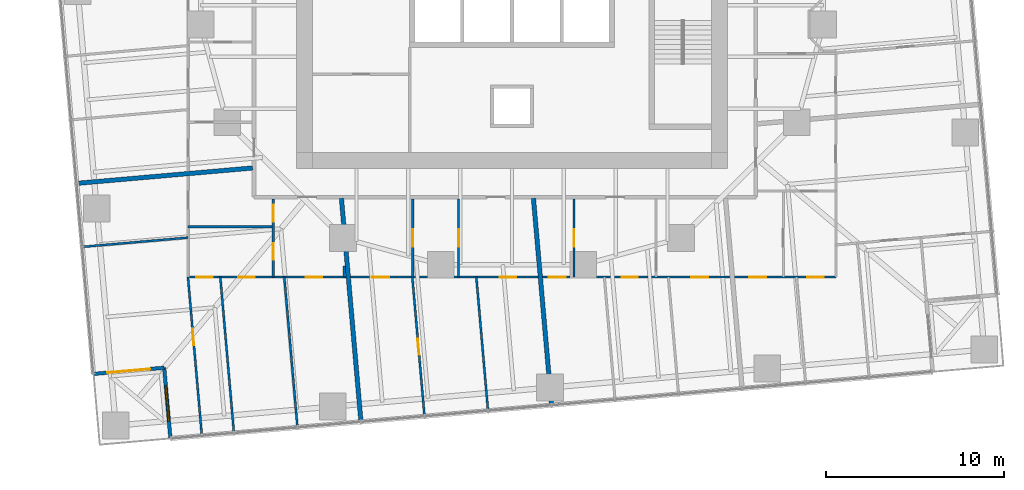
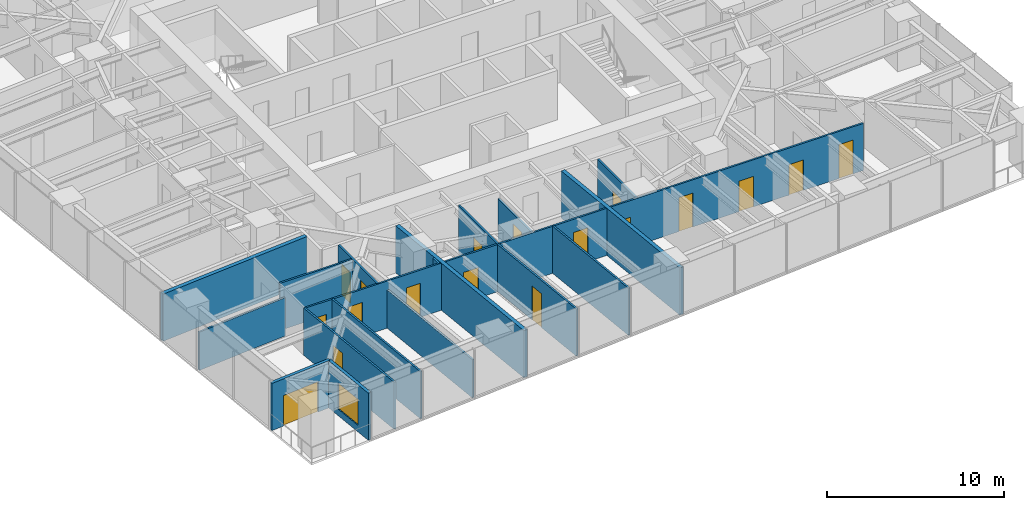
# One storey, part 8 of 14: 18 doors, 18 walls, 1 window, 19 openings.
"""IFC4 building model written with IfcOpenShell, lengths in metres."""

from ifc_helpers import new_model, si_unit, direction, frame, frame_2d, origin, place, context, subcontext, project, spatial, rectangle, extrude, material, layer, layer_set, type_object, element, fill, save


model = new_model("IFC4")

# Units and contexts
model_context = context("Model", 3, precision=1e-05, world=origin(), true_north=direction((0.0, 1.0)))
body_context = subcontext(model_context, "Body", "Model", "MODEL_VIEW")
ifc_project = project(units=[si_unit("LENGTHUNIT", "METRE"), si_unit("AREAUNIT", "SQUARE_METRE"), si_unit("VOLUMEUNIT", "CUBIC_METRE"), si_unit("PLANEANGLEUNIT", "RADIAN"), si_unit("MASSUNIT", "GRAM", prefix="KILO")], contexts=[model_context])

# Site, building, storey
site_placement = place(None, origin())
site = spatial("IfcSite", under=ifc_project, at=site_placement, CompositionType="ELEMENT")
building_placement = place(site_placement, origin())
building = spatial("IfcBuilding", under=site, at=building_placement, Name="Torsade Residences", CompositionType="ELEMENT")
storey_placement = place(building_placement, frame((0.0, 0.0, 67.60009765625)))
storey = spatial("IfcBuildingStorey", under=building, at=storey_placement, Name="L18", CompositionType="ELEMENT", Elevation=67.60009765625)

# Wall, openings, doors
ifc_material_1 = material(Name="Plasterboard on steel stud", Category="steel")
ifc_layer_1 = layer(ifc_material_1, 0.1201171875)
ifc_layer_set_1 = layer_set([ifc_layer_1], Name="Plasterboard on steel stud")
wall_type_1 = type_object("IfcWallType", Name="PARTITION 120", PredefinedType="PARTITIONING", material=ifc_layer_set_1)
wall_1_placement = place(storey_placement, frame((26.58642578125, 11.800048828125, 0.0), z_axis=(0.0, 0.0, 1.0), x_axis=(0.0, 1.0, 0.0)))
wall_1 = element("IfcWall", 1, at=wall_1_placement, inside=storey, type_object=wall_type_1, Name="Partition L18", PredefinedType="PARTITIONING", context=body_context, shape_type="SweptSolid", body=[
    extrude(rectangle(XDim=4.39990234375, YDim=0.1201171875, at=frame_2d((2.199951171875, 0.0))), origin(), (0.0, 0.0, 1.0), 3.25),
])
opening_1_placement = place(wall_1_placement, frame((0.98193359375, 0.0, 0.0)))
opening_1 = element("IfcOpeningElement", 2, at=opening_1_placement, cuts=wall_1, Name="Opening D02", PredefinedType="OPENING", context=body_context, shape_type="SweptSolid", body=[
    extrude(rectangle(XDim=0.919921875, YDim=2.340087890625, at=frame_2d((0.4599609375, 1.169921875))), frame((0.0, 0.070068359375, 0.0), z_axis=(0.0, -1.0, 0.0), x_axis=(1.0, 0.0, 0.0)), (0.0, 0.0, 1.0), 0.14013671875),
])
opening_2_placement = place(wall_1_placement, frame((3.112060546875, 0.0, 0.0)))
opening_2 = element("IfcOpeningElement", 3, at=opening_2_placement, cuts=wall_1, Name="Opening D05", PredefinedType="OPENING", context=body_context, shape_type="SweptSolid", body=[
    extrude(rectangle(XDim=0.9599609375, YDim=2.10009765625, at=frame_2d((0.47998046875, 1.050048828125))), frame((0.0, 0.070068359375, 0.0), z_axis=(0.0, -1.0, 0.0), x_axis=(1.0, 0.0, 0.0)), (0.0, 0.0, 1.0), 0.14013671875),
])
ifc_material_2 = material(Name="Hollow-core timber door in a steel cavity frame", Category="steel")
door_type_1 = type_object("IfcDoorType", Name="BATHROOM CAVITY SLIDING DOOR 960", OperationType="SLIDING_TO_LEFT", PredefinedType="DOOR", material=ifc_material_2)
door_1_placement = place(opening_2_placement, origin())
door_1 = element("IfcDoor", 4, at=door_1_placement, inside=storey, type_object=door_type_1, Name="Door Kitchen and dining to Bathroom", OperationType="SLIDING_TO_LEFT", OverallHeight=2.10009765625, OverallWidth=0.9599609375, PredefinedType="DOOR", context=body_context, shape_type="SweptSolid", body=[
    extrude(rectangle(XDim=0.9599609375, YDim=2.10009765625, at=frame_2d((0.47998046875, 1.050048828125))), frame((0.0, 0.02490234375, 0.0), z_axis=(0.0, -1.0, 0.0), x_axis=(1.0, 0.0, 0.0)), (0.0, 0.0, 1.0), 0.050048828125),
])
fill(opening_2, door_1)
ifc_material_3 = material(Name="Hollow-core timber door", Category="wood")
door_type_2 = type_object("IfcDoorType", Name="INTERNAL DOOR 920x2340", OperationType="NOTDEFINED", PredefinedType="DOOR", material=ifc_material_3)
door_2_placement = place(opening_1_placement, origin())
door_2 = element("IfcDoor", 5, at=door_2_placement, inside=storey, type_object=door_type_2, Name="Door Kitchen and dining to Dressing room", OperationType="SINGLE_SWING_LEFT", OverallHeight=2.340087890625, OverallWidth=0.919921875, PredefinedType="DOOR", context=body_context, shape_type="SweptSolid", body=[
    extrude(rectangle(XDim=0.919921875, YDim=2.340087890625, at=frame_2d((0.4599609375, 1.169921875))), frame((0.0, 0.02490234375, 0.0), z_axis=(0.0, -1.0, 0.0), x_axis=(1.0, 0.0, 0.0)), (0.0, 0.0, 1.0), 0.050048828125),
])
fill(opening_1, door_2)

# Wall
wall_2_placement = place(storey_placement, frame((30.571533203125, 12.416748046875, 0.0), z_axis=(0.0, 0.0, 1.0), x_axis=(0.0, -1.0, 0.0)))
element("IfcWall", 6, at=wall_2_placement, inside=storey, type_object=wall_type_1, Name="Partition L18", PredefinedType="PARTITIONING", context=body_context, shape_type="SweptSolid", body=[
    extrude(rectangle(XDim=0.61669921875, YDim=0.1201171875, at=frame_2d((0.308349609375, 0.0))), origin(), (0.0, 0.0, 1.0), 3.25),
])

# Wall, openings, doors
wall_3_placement = place(storey_placement, frame((58.199951171875, 11.800048828125, 0.0), z_axis=(0.0, 0.0, 1.0), x_axis=(-1.0, 0.0, 0.0)))
wall_3 = element("IfcWall", 7, at=wall_3_placement, inside=storey, type_object=wall_type_1, Name="Partition L18", PredefinedType="PARTITIONING", context=body_context, shape_type="SweptSolid", body=[
    extrude(rectangle(XDim=36.39990234375, YDim=0.1201171875, at=frame_2d((18.199951171875, 0.0))), origin(), (0.0, 0.0, 1.0), 3.25),
])
opening_3_placement = place(wall_3_placement, frame((11.119873046875, 0.0, 0.0)))
opening_3 = element("IfcOpeningElement", 8, at=opening_3_placement, cuts=wall_3, Name="Opening D02", PredefinedType="OPENING", context=body_context, shape_type="SweptSolid", body=[
    extrude(rectangle(XDim=0.919921875, YDim=2.340087890625, at=frame_2d((0.4599609375, 1.169921875))), frame((0.0, 0.070068359375, 0.0), z_axis=(0.0, -1.0, 0.0), x_axis=(1.0, 0.0, 0.0)), (0.0, 0.0, 1.0), 0.14013671875),
])
opening_4_placement = place(wall_3_placement, frame((17.97119140625, 0.0, 0.0)))
opening_4 = element("IfcOpeningElement", 9, at=opening_4_placement, cuts=wall_3, Name="Opening D02", PredefinedType="OPENING", context=body_context, shape_type="SweptSolid", body=[
    extrude(rectangle(XDim=0.919921875, YDim=2.340087890625, at=frame_2d((0.4599609375, 1.169921875))), frame((0.0, 0.070068359375, 0.0), z_axis=(0.0, -1.0, 0.0), x_axis=(1.0, 0.0, 0.0)), (0.0, 0.0, 1.0), 0.14013671875),
])
opening_5_placement = place(wall_3_placement, frame((28.877197265625, 0.0, 0.0)))
opening_5 = element("IfcOpeningElement", 10, at=opening_5_placement, cuts=wall_3, Name="Opening D02", PredefinedType="OPENING", context=body_context, shape_type="SweptSolid", body=[
    extrude(rectangle(XDim=0.919921875, YDim=2.340087890625, at=frame_2d((0.4599609375, 1.169921875))), frame((0.0, 0.070068359375, 0.0), z_axis=(0.0, -1.0, 0.0), x_axis=(1.0, 0.0, 0.0)), (0.0, 0.0, 1.0), 0.14013671875),
])
opening_6_placement = place(wall_3_placement, frame((7.16015625, 0.0, 0.0)))
opening_6 = element("IfcOpeningElement", 11, at=opening_6_placement, cuts=wall_3, Name="Opening D05", PredefinedType="OPENING", context=body_context, shape_type="SweptSolid", body=[
    extrude(rectangle(XDim=0.9599609375, YDim=2.10009765625, at=frame_2d((0.47998046875, 1.050048828125))), frame((0.0, 0.070068359375, 0.0), z_axis=(0.0, -1.0, 0.0), x_axis=(1.0, 0.0, 0.0)), (0.0, 0.0, 1.0), 0.14013671875),
])
opening_7_placement = place(wall_3_placement, frame((15.1806640625, 0.0, 0.0)))
opening_7 = element("IfcOpeningElement", 12, at=opening_7_placement, cuts=wall_3, Name="Opening D05", PredefinedType="OPENING", context=body_context, shape_type="SweptSolid", body=[
    extrude(rectangle(XDim=0.9599609375, YDim=2.10009765625, at=frame_2d((0.47998046875, 1.050048828125))), frame((0.0, 0.070068359375, 0.0), z_axis=(0.0, -1.0, 0.0), x_axis=(1.0, 0.0, 0.0)), (0.0, 0.0, 1.0), 0.14013671875),
])
opening_8_placement = place(wall_3_placement, frame((32.668212890625, 0.0, 0.0)))
opening_8 = element("IfcOpeningElement", 13, at=opening_8_placement, cuts=wall_3, Name="Opening D02", PredefinedType="OPENING", context=body_context, shape_type="SweptSolid", body=[
    extrude(rectangle(XDim=0.919921875, YDim=2.340087890625, at=frame_2d((0.4599609375, 1.169921875))), frame((0.0, 0.070068359375, 0.0), z_axis=(0.0, -1.0, 0.0), x_axis=(1.0, 0.0, 0.0)), (0.0, 0.0, 1.0), 0.14013671875),
])
opening_9_placement = place(wall_3_placement, frame((35.01123046875, 0.0, 0.0)))
opening_9 = element("IfcOpeningElement", 14, at=opening_9_placement, cuts=wall_3, Name="Opening D02", PredefinedType="OPENING", context=body_context, shape_type="SweptSolid", body=[
    extrude(rectangle(XDim=0.919921875, YDim=2.340087890625, at=frame_2d((0.4599609375, 1.169921875))), frame((0.0, 0.070068359375, 0.0), z_axis=(0.0, -1.0, 0.0), x_axis=(1.0, 0.0, 0.0)), (0.0, 0.0, 1.0), 0.14013671875),
])
opening_10_placement = place(wall_3_placement, frame((0.6748046875, 0.0, 0.0)))
opening_10 = element("IfcOpeningElement", 15, at=opening_10_placement, cuts=wall_3, Name="Opening D02", PredefinedType="OPENING", context=body_context, shape_type="SweptSolid", body=[
    extrude(rectangle(XDim=0.919921875, YDim=2.340087890625, at=frame_2d((0.4599609375, 1.169921875))), frame((0.0, 0.070068359375, 0.0), z_axis=(0.0, -1.0, 0.0), x_axis=(1.0, 0.0, 0.0)), (0.0, 0.0, 1.0), 0.14013671875),
])
opening_11_placement = place(wall_3_placement, frame((25.10986328125, 0.0, 0.0)))
opening_11 = element("IfcOpeningElement", 16, at=opening_11_placement, cuts=wall_3, Name="Opening D05", PredefinedType="OPENING", context=body_context, shape_type="SweptSolid", body=[
    extrude(rectangle(XDim=0.9599609375, YDim=2.10009765625, at=frame_2d((0.47998046875, 1.050048828125))), frame((0.0, 0.070068359375, 0.0), z_axis=(0.0, -1.0, 0.0), x_axis=(1.0, 0.0, 0.0)), (0.0, 0.0, 1.0), 0.14013671875),
])
opening_12_placement = place(wall_3_placement, frame((3.904052734375, 0.0, 0.0)))
opening_12 = element("IfcOpeningElement", 17, at=opening_12_placement, cuts=wall_3, Name="Opening D05", PredefinedType="OPENING", context=body_context, shape_type="SweptSolid", body=[
    extrude(rectangle(XDim=0.9599609375, YDim=2.10009765625, at=frame_2d((0.47998046875, 1.050048828125))), frame((0.0, 0.070068359375, 0.0), z_axis=(0.0, -1.0, 0.0), x_axis=(1.0, 0.0, 0.0)), (0.0, 0.0, 1.0), 0.14013671875),
])
door_3_placement = place(opening_6_placement, origin())
door_3 = element("IfcDoor", 18, at=door_3_placement, inside=storey, type_object=door_type_1, Name="Door Bathroom to Bedroom 2", OperationType="SLIDING_TO_LEFT", OverallHeight=2.10009765625, OverallWidth=0.9599609375, PredefinedType="DOOR", context=body_context, shape_type="SweptSolid", body=[
    extrude(rectangle(XDim=0.9599609375, YDim=2.10009765625, at=frame_2d((0.47998046875, 1.050048828125))), frame((0.0, 0.02490234375, 0.0), z_axis=(0.0, -1.0, 0.0), x_axis=(1.0, 0.0, 0.0)), (0.0, 0.0, 1.0), 0.050048828125),
])
fill(opening_6, door_3)
door_4_placement = place(opening_7_placement, origin())
door_4 = element("IfcDoor", 19, at=door_4_placement, inside=storey, type_object=door_type_1, Name="Door Ensuite to Living room", OperationType="SLIDING_TO_LEFT", OverallHeight=2.10009765625, OverallWidth=0.9599609375, PredefinedType="DOOR", context=body_context, shape_type="SweptSolid", body=[
    extrude(rectangle(XDim=0.9599609375, YDim=2.10009765625, at=frame_2d((0.47998046875, 1.050048828125))), frame((0.0, 0.02490234375, 0.0), z_axis=(0.0, -1.0, 0.0), x_axis=(1.0, 0.0, 0.0)), (0.0, 0.0, 1.0), 0.050048828125),
])
fill(opening_7, door_4)
door_5_placement = place(opening_11_placement, origin())
door_5 = element("IfcDoor", 20, at=door_5_placement, inside=storey, type_object=door_type_1, Name="Door Bathroom to Living room", OperationType="SLIDING_TO_LEFT", OverallHeight=2.10009765625, OverallWidth=0.9599609375, PredefinedType="DOOR", context=body_context, shape_type="SweptSolid", body=[
    extrude(rectangle(XDim=0.9599609375, YDim=2.10009765625, at=frame_2d((0.47998046875, 1.050048828125))), frame((0.0, 0.02490234375, 0.0), z_axis=(0.0, -1.0, 0.0), x_axis=(1.0, 0.0, 0.0)), (0.0, 0.0, 1.0), 0.050048828125),
])
fill(opening_11, door_5)
door_6_placement = place(opening_12_placement, origin())
door_6 = element("IfcDoor", 21, at=door_6_placement, inside=storey, type_object=door_type_1, Name="Door Bathroom to Study", OperationType="SLIDING_TO_LEFT", OverallHeight=2.10009765625, OverallWidth=0.9599609375, PredefinedType="DOOR", context=body_context, shape_type="SweptSolid", body=[
    extrude(rectangle(XDim=0.9599609375, YDim=2.10009765625, at=frame_2d((0.47998046875, 1.050048828125))), frame((0.0, 0.02490234375, 0.0), z_axis=(0.0, -1.0, 0.0), x_axis=(1.0, 0.0, 0.0)), (0.0, 0.0, 1.0), 0.050048828125),
])
fill(opening_12, door_6)
door_7_placement = place(opening_3_placement, origin())
door_7 = element("IfcDoor", 22, at=door_7_placement, inside=storey, type_object=door_type_2, Name="Door Kitchen and dining to Bedroom 1", OperationType="SINGLE_SWING_RIGHT", OverallHeight=2.340087890625, OverallWidth=0.919921875, PredefinedType="DOOR", context=body_context, shape_type="SweptSolid", body=[
    extrude(rectangle(XDim=0.919921875, YDim=2.340087890625, at=frame_2d((0.4599609375, 1.169921875))), frame((0.0, 0.02490234375, 0.0), z_axis=(0.0, -1.0, 0.0), x_axis=(1.0, 0.0, 0.0)), (0.0, 0.0, 1.0), 0.050048828125),
])
fill(opening_3, door_7)
door_8_placement = place(opening_4_placement, origin())
door_8 = element("IfcDoor", 23, at=door_8_placement, inside=storey, type_object=door_type_2, Name="Door Kitchen and dining to Bedroom 2", OperationType="SINGLE_SWING_LEFT", OverallHeight=2.340087890625, OverallWidth=0.919921875, PredefinedType="DOOR", context=body_context, shape_type="SweptSolid", body=[
    extrude(rectangle(XDim=0.919921875, YDim=2.340087890625, at=frame_2d((0.4599609375, 1.169921875))), frame((0.0, 0.02490234375, 0.0), z_axis=(0.0, -1.0, 0.0), x_axis=(1.0, 0.0, 0.0)), (0.0, 0.0, 1.0), 0.050048828125),
])
fill(opening_4, door_8)
door_9_placement = place(opening_5_placement, origin())
door_9 = element("IfcDoor", 24, at=door_9_placement, inside=storey, type_object=door_type_2, Name="Door Kitchen and dining to Bedroom 2", OperationType="SINGLE_SWING_RIGHT", OverallHeight=2.340087890625, OverallWidth=0.919921875, PredefinedType="DOOR", context=body_context, shape_type="SweptSolid", body=[
    extrude(rectangle(XDim=0.919921875, YDim=2.340087890625, at=frame_2d((0.4599609375, 1.169921875))), frame((0.0, 0.02490234375, 0.0), z_axis=(0.0, -1.0, 0.0), x_axis=(1.0, 0.0, 0.0)), (0.0, 0.0, 1.0), 0.050048828125),
])
fill(opening_5, door_9)
door_10_placement = place(opening_8_placement, origin())
door_10 = element("IfcDoor", 25, at=door_10_placement, inside=storey, type_object=door_type_2, Name="Door Dressing room to Bedroom 1", OperationType="SINGLE_SWING_RIGHT", OverallHeight=2.340087890625, OverallWidth=0.919921875, PredefinedType="DOOR", context=body_context, shape_type="SweptSolid", body=[
    extrude(rectangle(XDim=0.919921875, YDim=2.340087890625, at=frame_2d((0.4599609375, 1.169921875))), frame((0.0, 0.02490234375, 0.0), z_axis=(0.0, -1.0, 0.0), x_axis=(1.0, 0.0, 0.0)), (0.0, 0.0, 1.0), 0.050048828125),
])
fill(opening_8, door_10)
door_11_placement = place(opening_9_placement, origin())
door_11 = element("IfcDoor", 26, at=door_11_placement, inside=storey, type_object=door_type_2, Name="Door Dressing room to Walk-in robe", OperationType="SINGLE_SWING_RIGHT", OverallHeight=2.340087890625, OverallWidth=0.919921875, PredefinedType="DOOR", context=body_context, shape_type="SweptSolid", body=[
    extrude(rectangle(XDim=0.919921875, YDim=2.340087890625, at=frame_2d((0.4599609375, 1.169921875))), frame((0.0, 0.02490234375, 0.0), z_axis=(0.0, -1.0, 0.0), x_axis=(1.0, 0.0, 0.0)), (0.0, 0.0, 1.0), 0.050048828125),
])
fill(opening_9, door_11)
door_12_placement = place(opening_10_placement, origin())
door_12 = element("IfcDoor", 27, at=door_12_placement, inside=storey, type_object=door_type_2, Name="Door Dressing room to Bedroom 2", OperationType="SINGLE_SWING_RIGHT", OverallHeight=2.340087890625, OverallWidth=0.919921875, PredefinedType="DOOR", context=body_context, shape_type="SweptSolid", body=[
    extrude(rectangle(XDim=0.919921875, YDim=2.340087890625, at=frame_2d((0.4599609375, 1.169921875))), frame((0.0, 0.02490234375, 0.0), z_axis=(0.0, -1.0, 0.0), x_axis=(1.0, 0.0, 0.0)), (0.0, 0.0, 1.0), 0.050048828125),
])
fill(opening_10, door_12)

# Walls
wall_4_placement = place(storey_placement, frame((26.58642578125, 14.6337890625, 0.0), z_axis=(0.0, 0.0, 1.0), x_axis=(-1.0, 0.0, 0.0)))
element("IfcWall", 28, at=wall_4_placement, inside=storey, type_object=wall_type_1, Name="Partition L18", PredefinedType="PARTITIONING", context=body_context, shape_type="SweptSolid", body=[
    extrude(rectangle(XDim=4.786376953125, YDim=0.1201171875, at=frame_2d((2.39306640625, 0.0))), origin(), (0.0, 0.0, 1.0), 3.25),
])
wall_5_placement = place(storey_placement, frame((15.88623046875, 13.502197265625, 0.0), z_axis=(0.0, 0.0, 1.0), x_axis=(0.996195547509, 0.087146033323, 0.0)))
element("IfcWall", 29, at=wall_5_placement, inside=storey, type_object=wall_type_1, Name="Partition L18", PredefinedType="PARTITIONING", context=body_context, shape_type="SweptSolid", body=[
    extrude(rectangle(XDim=5.9365234375, YDim=0.1201171875, at=frame_2d((2.96826171875, 0.0))), origin(), (0.0, 0.0, 1.0), 2.637939453125),
])

# Wall, opening, door
wall_6_placement = place(storey_placement, frame((21.7900390625, 11.800048828125, 0.0), z_axis=(0.0, 0.0, 1.0), x_axis=(0.087153024244, -0.996194935926, 0.0)))
wall_6 = element("IfcWall", 30, at=wall_6_placement, inside=storey, type_object=wall_type_1, Name="Partition L18", PredefinedType="PARTITIONING", context=body_context, shape_type="SweptSolid", body=[
    extrude(rectangle(XDim=8.91650390625, YDim=0.1201171875, at=frame_2d((4.458251953125, 0.0))), origin(), (0.0, 0.0, 1.0), 3.25),
])
opening_13_placement = place(wall_6_placement, frame((2.9130859375, 0.0, 0.0)))
opening_13 = element("IfcOpeningElement", 31, at=opening_13_placement, cuts=wall_6, Name="Opening D02", PredefinedType="OPENING", context=body_context, shape_type="SweptSolid", body=[
    extrude(rectangle(XDim=0.919921875, YDim=2.340087890625, at=frame_2d((0.4599609375, 1.169921875))), frame((0.0, 0.070068359375, 0.0), z_axis=(0.0, -1.0, 0.0), x_axis=(1.0, 0.0, 0.0)), (0.0, 0.0, 1.0), 0.14013671875),
])
door_13_placement = place(opening_13_placement, origin())
door_13 = element("IfcDoor", 32, at=door_13_placement, inside=storey, type_object=door_type_2, Name="Door Walk-in robe to Living room", OperationType="SINGLE_SWING_LEFT", OverallHeight=2.340087890625, OverallWidth=0.919921875, PredefinedType="DOOR", context=body_context, shape_type="SweptSolid", body=[
    extrude(rectangle(XDim=0.919921875, YDim=2.340087890625, at=frame_2d((0.4599609375, 1.169921875))), frame((0.0, 0.02490234375, 0.0), z_axis=(0.0, -1.0, 0.0), x_axis=(1.0, 0.0, 0.0)), (0.0, 0.0, 1.0), 0.050048828125),
])
fill(opening_13, door_13)

# Walls
wall_7_placement = place(storey_placement, frame((27.2041015625, 11.800048828125, 0.0), z_axis=(0.0, 0.0, 1.0), x_axis=(0.087167308925, -0.996193686115, 0.0)))
element("IfcWall", 33, at=wall_7_placement, inside=storey, type_object=wall_type_1, Name="Partition L18", PredefinedType="PARTITIONING", context=body_context, shape_type="SweptSolid", body=[
    extrude(rectangle(XDim=8.444580078125, YDim=0.1201171875, at=frame_2d((4.22216796875, 0.0))), origin(), (0.0, 0.0, 1.0), 2.637939453125),
])
wall_8_placement = place(storey_placement, frame((24.37060546875, 3.075439453125, 0.0), z_axis=(0.0, 0.0, 1.0), x_axis=(-0.087169716747, 0.996193475426, 0.0)))
element("IfcWall", 34, at=wall_8_placement, inside=storey, type_object=wall_type_1, Name="Partition L18", PredefinedType="PARTITIONING", context=body_context, shape_type="SweptSolid", body=[
    extrude(rectangle(XDim=8.758056640625, YDim=0.1201171875, at=frame_2d((4.37890625, 0.0))), origin(), (0.0, 0.0, 1.0), 3.25),
])

# Wall, opening, door
wall_9_placement = place(storey_placement, frame((37.00048828125, 11.800048828125, 0.0), z_axis=(0.0, 0.0, 1.0), x_axis=(0.0, 1.0, 0.0)))
wall_9 = element("IfcWall", 35, at=wall_9_placement, inside=storey, type_object=wall_type_1, Name="Partition L18", PredefinedType="PARTITIONING", context=body_context, shape_type="SweptSolid", body=[
    extrude(rectangle(XDim=4.39990234375, YDim=0.1201171875, at=frame_2d((2.199951171875, 0.0))), origin(), (0.0, 0.0, 1.0), 2.7958984375),
])
opening_14_placement = place(wall_9_placement, frame((1.719970703125, 0.0, 0.0)))
opening_14 = element("IfcOpeningElement", 36, at=opening_14_placement, cuts=wall_9, Name="Opening D05", PredefinedType="OPENING", context=body_context, shape_type="SweptSolid", body=[
    extrude(rectangle(XDim=0.9599609375, YDim=2.10009765625, at=frame_2d((0.47998046875, 1.050048828125))), frame((0.0, 0.070068359375, 0.0), z_axis=(0.0, -1.0, 0.0), x_axis=(1.0, 0.0, 0.0)), (0.0, 0.0, 1.0), 0.14013671875),
])
door_14_placement = place(opening_14_placement, origin())
door_14 = element("IfcDoor", 37, at=door_14_placement, inside=storey, type_object=door_type_1, Name="Door Kitchen and dining to Ensuite", OperationType="SLIDING_TO_LEFT", OverallHeight=2.10009765625, OverallWidth=0.9599609375, PredefinedType="DOOR", context=body_context, shape_type="SweptSolid", body=[
    extrude(rectangle(XDim=0.9599609375, YDim=2.10009765625, at=frame_2d((0.47998046875, 1.050048828125))), frame((0.0, 0.02490234375, 0.0), z_axis=(0.0, -1.0, 0.0), x_axis=(1.0, 0.0, 0.0)), (0.0, 0.0, 1.0), 0.050048828125),
])
fill(opening_14, door_14)

wall_10_placement = place(storey_placement, frame((34.4189453125, 16.199951171875, 0.0), z_axis=(0.0, 0.0, 1.0), x_axis=(0.0, -1.0, 0.0)))
wall_10 = element("IfcWall", 38, at=wall_10_placement, inside=storey, type_object=wall_type_1, Name="Partition L18", PredefinedType="PARTITIONING", context=body_context, shape_type="SweptSolid", body=[
    extrude(rectangle(XDim=4.39990234375, YDim=0.1201171875, at=frame_2d((2.199951171875, 0.0))), origin(), (0.0, 0.0, 1.0), 3.25),
])
opening_15_placement = place(wall_10_placement, frame((1.719970703125, 0.0, 0.0)))
opening_15 = element("IfcOpeningElement", 39, at=opening_15_placement, cuts=wall_10, Name="Opening D05", PredefinedType="OPENING", context=body_context, shape_type="SweptSolid", body=[
    extrude(rectangle(XDim=0.9599609375, YDim=2.10009765625, at=frame_2d((0.47998046875, 1.050048828125))), frame((0.0, 0.070068359375, 0.0), z_axis=(0.0, -1.0, 0.0), x_axis=(1.0, 0.0, 0.0)), (0.0, 0.0, 1.0), 0.14013671875),
])
door_15_placement = place(opening_15_placement, origin())
door_15 = element("IfcDoor", 40, at=door_15_placement, inside=storey, type_object=door_type_1, Name="Door Ensuite to Bathroom", OperationType="SLIDING_TO_LEFT", OverallHeight=2.10009765625, OverallWidth=0.9599609375, PredefinedType="DOOR", context=body_context, shape_type="SweptSolid", body=[
    extrude(rectangle(XDim=0.9599609375, YDim=2.10009765625, at=frame_2d((0.47998046875, 1.050048828125))), frame((0.0, 0.02490234375, 0.0), z_axis=(0.0, -1.0, 0.0), x_axis=(1.0, 0.0, 0.0)), (0.0, 0.0, 1.0), 0.050048828125),
])
fill(opening_15, door_15)

wall_11_placement = place(storey_placement, frame((34.398193359375, 11.800048828125, 0.0), z_axis=(0.0, 0.0, 1.0), x_axis=(0.087161914023, -0.996194158156, 0.0)))
wall_11 = element("IfcWall", 41, at=wall_11_placement, inside=storey, type_object=wall_type_1, Name="Partition L18", PredefinedType="PARTITIONING", context=body_context, shape_type="SweptSolid", body=[
    extrude(rectangle(XDim=7.817626953125, YDim=0.1201171875, at=frame_2d((3.90869140625, 0.0))), origin(), (0.0, 0.0, 1.0), 3.25),
])
opening_16_placement = place(wall_11_placement, frame((3.46875, 0.0, 0.0)))
opening_16 = element("IfcOpeningElement", 42, at=opening_16_placement, cuts=wall_11, Name="Opening D02", PredefinedType="OPENING", context=body_context, shape_type="SweptSolid", body=[
    extrude(rectangle(XDim=0.919921875, YDim=2.340087890625, at=frame_2d((0.4599609375, 1.169921875))), frame((0.0, 0.070068359375, 0.0), z_axis=(0.0, -1.0, 0.0), x_axis=(1.0, 0.0, 0.0)), (0.0, 0.0, 1.0), 0.14013671875),
])
door_16_placement = place(opening_16_placement, origin())
door_16 = element("IfcDoor", 43, at=door_16_placement, inside=storey, type_object=door_type_2, Name="Door Living room to Bedroom 1", OperationType="SINGLE_SWING_RIGHT", OverallHeight=2.340087890625, OverallWidth=0.919921875, PredefinedType="DOOR", context=body_context, shape_type="SweptSolid", body=[
    extrude(rectangle(XDim=0.919921875, YDim=2.340087890625, at=frame_2d((0.4599609375, 1.169921875))), frame((0.0, 0.02490234375, 0.0), z_axis=(0.0, -1.0, 0.0), x_axis=(1.0, 0.0, 0.0)), (0.0, 0.0, 1.0), 0.050048828125),
])
fill(opening_16, door_16)

# Wall
wall_12_placement = place(storey_placement, frame((37.995361328125, 11.800048828125, 0.0), z_axis=(0.0, 0.0, 1.0), x_axis=(0.08715887855, -0.99619442374, 0.0)))
element("IfcWall", 44, at=wall_12_placement, inside=storey, type_object=wall_type_1, Name="Partition L18", PredefinedType="PARTITIONING", context=body_context, shape_type="SweptSolid", body=[
    extrude(rectangle(XDim=7.504150390625, YDim=0.1201171875, at=frame_2d((3.751953125, 0.0))), origin(), (0.0, 0.0, 1.0), 3.25),
])

# Wall, opening, door
wall_13_placement = place(storey_placement, frame((43.486328125, 11.800048828125, 0.0), z_axis=(0.0, 0.0, 1.0), x_axis=(0.0, 1.0, 0.0)))
wall_13 = element("IfcWall", 45, at=wall_13_placement, inside=storey, type_object=wall_type_1, Name="Partition L18", PredefinedType="PARTITIONING", context=body_context, shape_type="SweptSolid", body=[
    extrude(rectangle(XDim=4.39990234375, YDim=0.1201171875, at=frame_2d((2.199951171875, 0.0))), origin(), (0.0, 0.0, 1.0), 3.25),
])
opening_17_placement = place(wall_13_placement, frame((1.719970703125, 0.0, 0.0)))
opening_17 = element("IfcOpeningElement", 46, at=opening_17_placement, cuts=wall_13, Name="Opening D05", PredefinedType="OPENING", context=body_context, shape_type="SweptSolid", body=[
    extrude(rectangle(XDim=0.9599609375, YDim=2.10009765625, at=frame_2d((0.47998046875, 1.050048828125))), frame((0.0, 0.070068359375, 0.0), z_axis=(0.0, -1.0, 0.0), x_axis=(1.0, 0.0, 0.0)), (0.0, 0.0, 1.0), 0.14013671875),
])
door_17_placement = place(opening_17_placement, origin())
door_17 = element("IfcDoor", 47, at=door_17_placement, inside=storey, type_object=door_type_1, Name="Door Kitchen and dining to Ensuite", OperationType="SLIDING_TO_LEFT", OverallHeight=2.10009765625, OverallWidth=0.9599609375, PredefinedType="DOOR", context=body_context, shape_type="SweptSolid", body=[
    extrude(rectangle(XDim=0.9599609375, YDim=2.10009765625, at=frame_2d((0.47998046875, 1.050048828125))), frame((0.0, 0.02490234375, 0.0), z_axis=(0.0, -1.0, 0.0), x_axis=(1.0, 0.0, 0.0)), (0.0, 0.0, 1.0), 0.050048828125),
])
fill(opening_17, door_17)

# Walls
ifc_material_4 = material(Name="Masonry-lined stud party wall", Category="masonry")
ifc_layer_2 = layer(ifc_material_4, 0.25)
ifc_layer_set_2 = layer_set([ifc_layer_2], Name="Masonry-lined stud party wall")
wall_type_2 = type_object("IfcWallType", Name="PARTY WALL 250", PredefinedType="PARTITIONING", material=ifc_layer_set_2)
wall_14_placement = place(storey_placement, frame((42.222412109375, 4.596923828125, 0.0), z_axis=(0.0, 0.0, 1.0), x_axis=(-0.087147497287, 0.996195419442, 0.0)))
element("IfcWall", 48, at=wall_14_placement, inside=storey, type_object=wall_type_2, Name="Party wall L18", PredefinedType="PARTITIONING", context=body_context, shape_type="SweptSolid", body=[
    extrude(rectangle(XDim=11.676513671875, YDim=0.25, at=frame_2d((5.83837890625, 0.0))), origin(), (0.0, 0.0, 1.0), 3.25),
])
wall_15_placement = place(storey_placement, frame((15.533935546875, 17.068359375, 0.0), z_axis=(0.0, 0.0, 1.0), x_axis=(0.996194517831, 0.087157803114, 0.0)))
element("IfcWall", 49, at=wall_15_placement, inside=storey, type_object=wall_type_2, Name="Party wall L18", PredefinedType="PARTITIONING", context=body_context, shape_type="SweptSolid", body=[
    extrude(rectangle(XDim=9.932861328125, YDim=0.25, at=frame_2d((4.96630859375, 0.0))), origin(), (0.0, 0.0, 1.0), 3.25),
])
wall_16_placement = place(storey_placement, frame((31.513427734375, 3.66015625, 0.0), z_axis=(0.0, 0.0, 1.0), x_axis=(-0.087153988028, 0.996194851608, 0.0)))
element("IfcWall", 50, at=wall_16_placement, inside=storey, type_object=wall_type_2, Name="Party wall L18", PredefinedType="PARTITIONING", context=body_context, shape_type="SweptSolid", body=[
    extrude(rectangle(XDim=12.616943359375, YDim=0.25, at=frame_2d((6.30859375, 0.0))), origin(), (0.0, 0.0, 1.0), 3.25),
])

# Wall, opening, door
ifc_material_5 = material(Name="Stone-faced precast concrete 40 MPa panel", Category="masonry")
ifc_layer_3 = layer(ifc_material_5, 0.199951171875)
ifc_layer_set_3 = layer_set([ifc_layer_3], Name="Stone-faced precast concrete 40 MPa panel")
wall_type_3 = type_object("IfcWallType", Name="TERRACE WALL 200", PredefinedType="SOLIDWALL", material=ifc_layer_set_3)
wall_17_placement = place(storey_placement, frame((16.470947265625, 6.359375, 0.0), z_axis=(0.0, 0.0, 1.0), x_axis=(0.99619418125, 0.087161650072, 0.0)))
wall_17 = element("IfcWall", 51, at=wall_17_placement, inside=storey, type_object=wall_type_3, Name="Terrace wall L18 11", PredefinedType="SOLIDWALL", context=body_context, shape_type="SweptSolid", body=[
    extrude(rectangle(XDim=3.999755859375, YDim=0.199951171875, at=frame_2d((2.0, 0.0))), origin(), (0.0, 0.0, 1.0), 3.25),
])
opening_18_placement = place(wall_17_placement, frame((0.800048828125, 0.0, 0.0)))
opening_18 = element("IfcOpeningElement", 52, at=opening_18_placement, cuts=wall_17, Name="Opening D10A", PredefinedType="OPENING", context=body_context, shape_type="SweptSolid", body=[
    extrude(rectangle(XDim=2.39990234375, YDim=2.10009765625, at=frame_2d((1.199951171875, 1.050048828125))), frame((0.0, 0.10986328125, 0.0), z_axis=(0.0, -1.0, 0.0), x_axis=(1.0, 0.0, 0.0)), (0.0, 0.0, 1.0), 0.219970703125),
])
ifc_material_6 = material(Name="Aluminium-framed glass door", Category="aluminium")
door_type_3 = type_object("IfcDoorType", Name="TERRACE SLIDING DOOR 2400x2100", OperationType="SLIDING_TO_LEFT", PredefinedType="DOOR", material=ifc_material_6)
door_18_placement = place(opening_18_placement, origin())
door_18 = element("IfcDoor", 53, at=door_18_placement, inside=storey, type_object=door_type_3, Name="Terrace door L18 11", OperationType="SLIDING_TO_LEFT", OverallHeight=2.10009765625, OverallWidth=2.39990234375, PredefinedType="DOOR", context=body_context, shape_type="SweptSolid", body=[
    extrude(rectangle(XDim=2.39990234375, YDim=2.10009765625, at=frame_2d((1.199951171875, 1.050048828125))), frame((0.0, 0.02490234375, 0.0), z_axis=(0.0, -1.0, 0.0), x_axis=(1.0, 0.0, 0.0)), (0.0, 0.0, 1.0), 0.050048828125),
])
fill(opening_18, door_18)

# Wall, opening, window
wall_18_placement = place(storey_placement, frame((20.45556640625, 6.7080078125, 0.0), z_axis=(0.0, 0.0, 1.0), x_axis=(0.087156350505, -0.99619464492, 0.0)))
wall_18 = element("IfcWall", 54, at=wall_18_placement, inside=storey, type_object=wall_type_3, Name="Terrace wall L18 12", PredefinedType="SOLIDWALL", context=body_context, shape_type="SweptSolid", body=[
    extrude(rectangle(XDim=4.0, YDim=0.199951171875, at=frame_2d((2.0, 0.0))), origin(), (0.0, 0.0, 1.0), 3.25),
])
opening_19_placement = place(wall_18_placement, frame((1.0, 0.0, 0.449951171875)))
opening_19 = element("IfcOpeningElement", 55, at=opening_19_placement, cuts=wall_18, Name="Opening W1B", PredefinedType="OPENING", context=body_context, shape_type="SweptSolid", body=[
    extrude(rectangle(XDim=2.0, YDim=1.800048828125, at=frame_2d((1.0, 0.89990234375))), frame((0.0, 0.10986328125, 0.0), z_axis=(0.0, -1.0, 0.0), x_axis=(1.0, 0.0, 0.0)), (0.0, 0.0, 1.0), 0.219970703125),
])
ifc_material_7 = material(Name="Aluminium-framed glass window", Category="aluminium")
window_type = type_object("IfcWindowType", Name="TERRACE WINDOW 2000x1800", PartitioningType="SINGLE_PANEL", PredefinedType="WINDOW", material=ifc_material_7)
window_placement = place(opening_19_placement, origin())
window = element("IfcWindow", 56, at=window_placement, inside=storey, type_object=window_type, Name="Terrace window L18 12", OverallHeight=1.800048828125, OverallWidth=2.0, PartitioningType="SINGLE_PANEL", PredefinedType="WINDOW", context=body_context, shape_type="SweptSolid", body=[
    extrude(rectangle(XDim=2.0, YDim=1.800048828125, at=frame_2d((1.0, 0.89990234375))), frame((0.0, 0.030029296875, 0.0), z_axis=(0.0, -1.0, 0.0), x_axis=(1.0, 0.0, 0.0)), (0.0, 0.0, 1.0), 0.06005859375),
])
fill(opening_19, window)

save(model, "model.ifc")
